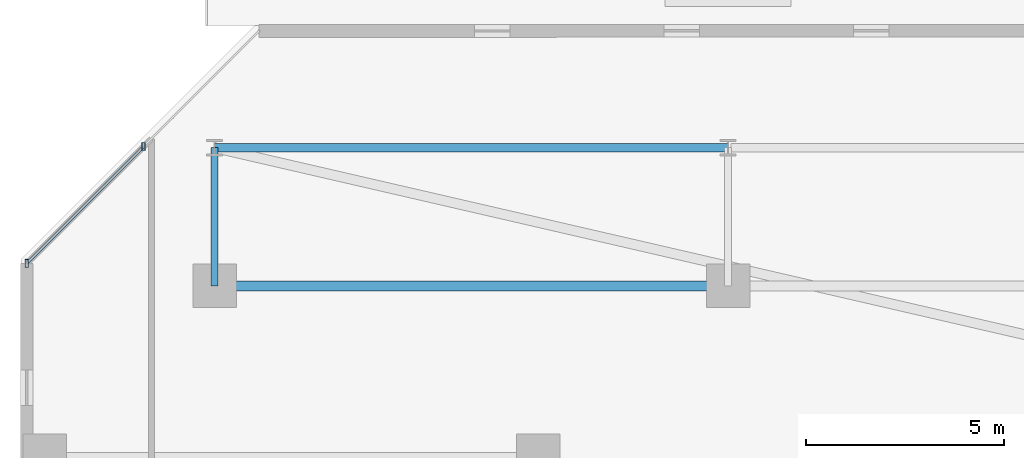
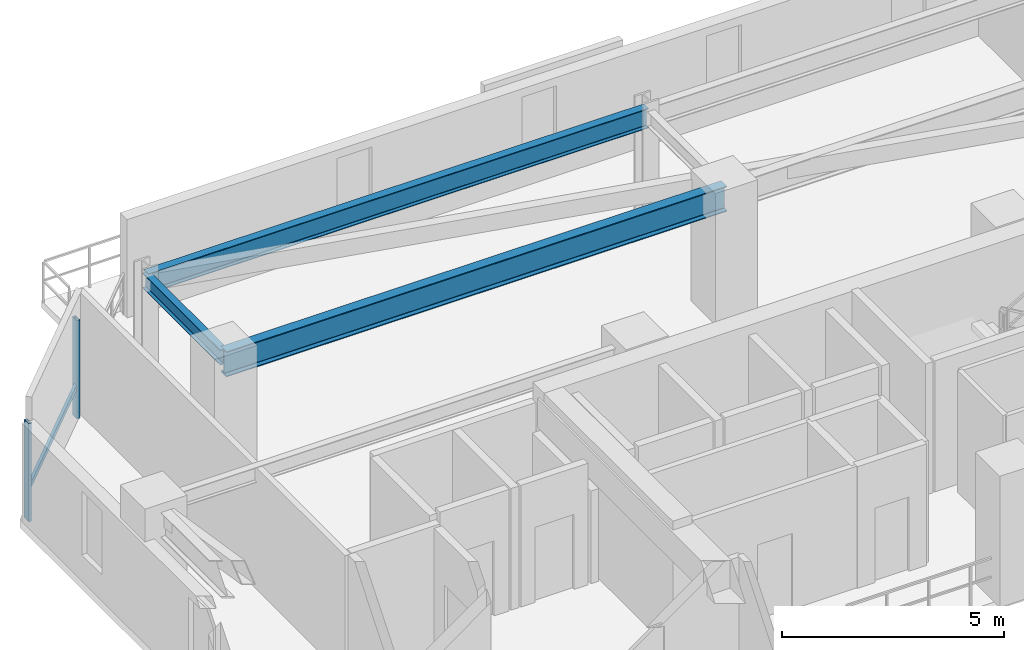
# One storey, part 8 of 32: 3 beams, 3 members, 1 element without a shape of its own.
"""IFC4 building model written with IfcOpenShell, lengths in metres."""

import ifcopenshell
import ifcopenshell.guid

model = None  # the IFC model being written
_history = None  # IfcOwnerHistory: only IFC2X3 demands one
_inside = {}  # id of a spatial element -> (the spatial element, [elements in it])
_under = {}  # id of a project, library or spatial element -> (it, [spatial elements below it])
_declared = {}  # id of a project -> (the project, [libraries it declares])
_typed = {}  # id of a type object -> (the type object, [elements of that type])
_made_of = {}  # id of a material, layer set ... -> (it, [elements and type objects made of it])


def new_model(schema):
    """Start an empty IFC model of exactly this schema.

    Asked for "IFC4X3", IfcOpenShell would pick the latest addendum, in which some entities
    have other attributes; the version numbers below select the first issue.
    IFC2X3 requires an IfcOwnerHistory on every rooted entity: one is made here for all.
    """
    global model, _history
    if schema == "IFC4X3":
        model = ifcopenshell.file(schema_version=(4, 3, 0, 0))
    else:
        model = ifcopenshell.file(schema=schema)
    _inside.clear()
    _under.clear()
    _declared.clear()
    _typed.clear()
    _made_of.clear()
    _history = None
    if model.schema == "IFC2X3":
        org = make("IfcOrganization", Name="unknown")
        user = make(
            "IfcPersonAndOrganization",
            ThePerson=make("IfcPerson", FamilyName="unknown"),
            TheOrganization=org,
        )
        app = make(
            "IfcApplication",
            ApplicationDeveloper=org,
            Version="unknown",
            ApplicationFullName="unknown",
            ApplicationIdentifier="unknown",
        )
        _history = make(
            "IfcOwnerHistory",
            OwningUser=user,
            OwningApplication=app,
            ChangeAction="ADDED",
            CreationDate=0,
        )
    return model


def make(cls, **values):
    """One entity of the class cls with the attributes given. An attribute that is None is left unset."""
    return model.create_entity(
        cls, **{name: value for name, value in values.items() if value is not None}
    )


def rooted(cls, **values):
    """An entity with a GlobalId (a new one), such as an element, a storey or a relation."""
    return make(cls, GlobalId=ifcopenshell.guid.new(), OwnerHistory=_history, **values)


def si_unit(unit_type, name, prefix=None):
    """IfcSIUnit, for example si_unit("LENGTHUNIT", "METRE", prefix="MILLI")."""
    return make("IfcSIUnit", UnitType=unit_type, Prefix=prefix, Name=name)


def assignment(units):
    """IfcUnitAssignment: the units of a project."""
    return None if units is None else make("IfcUnitAssignment", Units=units)


def point(xyz):
    """IfcCartesianPoint."""
    return None if xyz is None else make("IfcCartesianPoint", Coordinates=xyz)


def direction(xyz):
    """IfcDirection."""
    return None if xyz is None else make("IfcDirection", DirectionRatios=xyz)


def frame(location, z_axis=None, x_axis=None):
    """IfcAxis2Placement3D, a coordinate frame: its origin and axes. An axis left out is left unset."""
    return make(
        "IfcAxis2Placement3D",
        Location=point(location),
        Axis=direction(z_axis),
        RefDirection=direction(x_axis),
    )


def frame_2d(location, x_axis=None):
    """IfcAxis2Placement2D, a coordinate frame in the plane: its origin and x axis."""
    return make(
        "IfcAxis2Placement2D", Location=point(location), RefDirection=direction(x_axis)
    )


def origin():
    """The frame at (0, 0, 0) with its axes left unset."""
    return frame((0.0, 0.0, 0.0))


def origin_2d():
    """The frame at (0, 0) in the plane with its x axis left unset."""
    return frame_2d((0.0, 0.0))


def place(relative_to, where):
    """IfcLocalPlacement: puts the frame where relative to a parent placement (None: the world)."""
    return make(
        "IfcLocalPlacement", PlacementRelTo=relative_to, RelativePlacement=where
    )


def context(
    kind, dimensions, precision=None, world=None, true_north=None, identifier=None
):
    """IfcGeometricRepresentationContext, for example the 3D "Model" context."""
    return make(
        "IfcGeometricRepresentationContext",
        ContextIdentifier=identifier,
        ContextType=kind,
        CoordinateSpaceDimension=dimensions,
        Precision=precision,
        WorldCoordinateSystem=world,
        TrueNorth=true_north,
    )


def subcontext(parent, identifier, kind, view, scale=None):
    """IfcGeometricRepresentationSubContext, for example "Body" below "Model"."""
    return make(
        "IfcGeometricRepresentationSubContext",
        ContextIdentifier=identifier,
        ContextType=kind,
        ParentContext=parent,
        TargetScale=scale,
        TargetView=view,
    )


def project(units=None, contexts=None):
    """IfcProject with its units and contexts."""
    return rooted(
        "IfcProject",
        Name="project",
        RepresentationContexts=contexts,
        UnitsInContext=assignment(units),
    )


def spatial(cls, under=None, at=None, **own):
    """A site, building, storey or space (cls), placed at a placement, below another one or the project."""
    s = rooted(cls, ObjectPlacement=at, **own)
    if under is not None:
        _under.setdefault(under.id(), (under, []))[1].append(s)
    return s


def profile(cls, at=None, kind="AREA", **sizes):
    """A parametric profile (cls). Its sizes go by their IFC names, for example OverallWidth=200.0."""
    return make(cls, ProfileType=kind, Position=at, **sizes)


def hollow_rectangle(**sizes):
    """IfcRectangleHollowProfileDef."""
    return profile("IfcRectangleHollowProfileDef", **sizes)


def i_section(**sizes):
    """IfcIShapeProfileDef."""
    return profile("IfcIShapeProfileDef", **sizes)


def extrude(swept, where, along, depth):
    """IfcExtrudedAreaSolid: the profile swept, set in the frame where, extruded along a direction by depth."""
    return make(
        "IfcExtrudedAreaSolid",
        SweptArea=swept,
        Position=where,
        ExtrudedDirection=direction(along),
        Depth=depth,
    )


def shape(context_of_items, identifier, shape_type, items):
    """IfcShapeRepresentation: the items that make up one representation, for example the "Body"."""
    return make(
        "IfcShapeRepresentation",
        ContextOfItems=context_of_items,
        RepresentationIdentifier=identifier,
        RepresentationType=shape_type,
        Items=items,
    )


def material(Name=None, Category=None):
    """IfcMaterial."""
    return make("IfcMaterial", Name=Name, Category=Category)


def material_profile(
    of_material, cross_section, Name=None, Category=None, Priority=None
):
    """IfcMaterialProfile: a cross section and its material."""
    return make(
        "IfcMaterialProfile",
        Name=Name,
        Material=of_material,
        Profile=cross_section,
        Priority=Priority,
        Category=Category,
    )


def profile_set(profiles, Name=None, composite=None):
    """IfcMaterialProfileSet."""
    return make(
        "IfcMaterialProfileSet",
        Name=Name,
        MaterialProfiles=profiles,
        CompositeProfile=composite,
    )


def made_of(thing, what):
    """Note that an element or type object is made of a material, layer set ...; save() writes the relation."""
    if what is not None:
        _made_of.setdefault(what.id(), (what, []))[1].append(thing)
    return thing


def type_object(cls, material=None, **own):
    """A type object (cls), such as IfcWallType, which elements share."""
    return made_of(rooted(cls, **own), material)


def element(
    cls,
    number,
    at=None,
    inside=None,
    cuts=None,
    type_object=None,
    material=None,
    context=None,
    identifier="Body",
    shape_type=None,
    held_by="IfcProductDefinitionShape",
    body=None,
    shapes=None,
    **own,
):
    """One element of the class cls, such as IfcWall. Its Tag is "e" and its number.

    at: its placement. inside: the storey or other place that contains it. cuts: it is an
    opening in that element (IfcRelVoidsElement). A single representation is given by context,
    identifier, shape_type and body (its items); several are given by shapes. held_by: the class
    of the entity that holds the representations. save() writes the other relations.
    """
    e = rooted(cls, Tag="e%d" % number, ObjectPlacement=at, **own)
    if body is not None:
        shapes = [shape(context, identifier, shape_type, body)]
    if shapes is not None:
        e.Representation = make(held_by, Representations=shapes)
    if inside is not None:
        _inside.setdefault(inside.id(), (inside, []))[1].append(e)
    if cuts is not None:
        rooted(
            "IfcRelVoidsElement", RelatingBuildingElement=cuts, RelatedOpeningElement=e
        )
    if type_object is not None:
        _typed.setdefault(type_object.id(), (type_object, []))[1].append(e)
    return made_of(e, material)


def aggregate(whole, parts):
    """IfcRelAggregates: a whole, such as a stair, and the parts it consists of."""
    return rooted("IfcRelAggregates", RelatingObject=whole, RelatedObjects=parts)


def save(model, path):
    """Write the relations noted so far, then the file.

    IfcRelAggregates (storeys below a building ...), IfcRelContainedInSpatialStructure (elements
    in a storey), IfcRelDefinesByType, IfcRelAssociatesMaterial and IfcRelDeclares: one each for
    every whole, place, type object, material and project.
    """
    for whole, parts in _under.values():
        aggregate(whole, parts)
    for where, things in _inside.values():
        rooted(
            "IfcRelContainedInSpatialStructure",
            RelatedElements=things,
            RelatingStructure=where,
        )
    for kind, things in _typed.values():
        rooted("IfcRelDefinesByType", RelatedObjects=things, RelatingType=kind)
    for what, things in _made_of.values():
        rooted("IfcRelAssociatesMaterial", RelatedObjects=things, RelatingMaterial=what)
    for by, libraries in _declared.values():
        rooted("IfcRelDeclares", RelatingContext=by, RelatedDefinitions=libraries)
    model.write(path)


model = new_model("IFC4")

# Units and contexts
model_context = context("Model", 3, precision=1e-05, world=origin(), true_north=direction((0.0, 1.0)))
body_context = subcontext(model_context, "Body", "Model", "MODEL_VIEW")
ifc_project = project(units=[si_unit("LENGTHUNIT", "METRE"), si_unit("AREAUNIT", "SQUARE_METRE"), si_unit("VOLUMEUNIT", "CUBIC_METRE"), si_unit("PLANEANGLEUNIT", "RADIAN"), si_unit("MASSUNIT", "GRAM", prefix="KILO")], contexts=[model_context])

# Site, building, storey
site_placement = place(None, origin())
site = spatial("IfcSite", under=ifc_project, at=site_placement, CompositionType="ELEMENT")
building_placement = place(site_placement, origin())
building = spatial("IfcBuilding", under=site, at=building_placement, Name="Thornwick Lancets Civic Towers", CompositionType="ELEMENT")
storey_placement = place(building_placement, frame((0.0, 0.0, 178.5)))
storey = spatial("IfcBuildingStorey", under=building, at=storey_placement, Name="L47", CompositionType="ELEMENT", Elevation=178.5)

# Beams
ifc_material_1 = material(Name="Steel S355JR", Category="steel")
ifc_material_profile_1 = material_profile(ifc_material_1, i_section(OverallWidth=0.210693359375, OverallDepth=0.53955078125, WebThickness=0.01171875, FlangeThickness=0.018798828125, FilletRadius=0.0126953125, at=origin_2d()), Name="UKB 533x210x109")
ifc_profile_set_1 = profile_set([ifc_material_profile_1], Name="Steel S355JR")
beam_type_1 = type_object("IfcBeamType", Name="BM_EDGE_533_109", PredefinedType="SPANDREL", material=ifc_profile_set_1)
beam_1_placement = place(storey_placement, frame((12.5, 47.800048828125, 3.09033203125), z_axis=(1.0, 0.0, 0.0), x_axis=(0.0, 1.0, 0.0)))
element("IfcBeam", 1, at=beam_1_placement, inside=storey, type_object=beam_type_1, Name="BM-EDGE-L47-A-S2-1", PredefinedType="SPANDREL", context=body_context, shape_type="SweptSolid", body=[
    extrude(i_section(OverallWidth=0.210693359375, OverallDepth=0.53955078125, WebThickness=0.01171875, FlangeThickness=0.018798828125, FilletRadius=0.0126953125, at=origin_2d()), origin(), (0.0, 0.0, 1.0), 13.0),
])
ifc_material_profile_2 = material_profile(ifc_material_1, i_section(OverallWidth=0.255859375, OverallDepth=0.69287109375, WebThickness=0.014404296875, FlangeThickness=0.023681640625, FilletRadius=0.01513671875, at=origin_2d()), Name="UKB 686x254x170")
ifc_profile_set_2 = profile_set([ifc_material_profile_2], Name="Steel S355JR")
beam_type_2 = type_object("IfcBeamType", Name="BM_GIRD_686_170", PredefinedType="BEAM", material=ifc_profile_set_2)
beam_2_placement = place(storey_placement, frame((12.5, 44.300048828125, 3.013671875), z_axis=(1.0, 0.0, 0.0), x_axis=(0.0, 1.0, 0.0)))
element("IfcBeam", 2, at=beam_2_placement, inside=storey, type_object=beam_type_2, Name="BM-SPINE-L47-A-6-7", PredefinedType="BEAM", context=body_context, shape_type="SweptSolid", body=[
    extrude(i_section(OverallWidth=0.255859375, OverallDepth=0.69287109375, WebThickness=0.014404296875, FlangeThickness=0.023681640625, FilletRadius=0.01513671875, at=origin_2d()), origin(), (0.0, 0.0, 1.0), 13.0),
])
ifc_material_profile_3 = material_profile(ifc_material_1, i_section(OverallWidth=0.179443359375, OverallDepth=0.412841796875, WebThickness=0.009521484375, FlangeThickness=0.01611328125, FilletRadius=0.01025390625, at=origin_2d()), Name="UKB 406x178x74")
ifc_profile_set_3 = profile_set([ifc_material_profile_3], Name="Steel S355JR")
beam_type_3 = type_object("IfcBeamType", Name="BM_JOIST_406_74", PredefinedType="JOIST", material=ifc_profile_set_3)
beam_3_placement = place(storey_placement, frame((12.5, 44.300048828125, 3.153564453125), z_axis=(0.0, 1.0, 0.0), x_axis=(-1.0, 0.0, 0.0)))
element("IfcBeam", 3, at=beam_3_placement, inside=storey, type_object=beam_type_3, Name="BM-RAD-L47-A07", PredefinedType="JOIST", context=body_context, shape_type="SweptSolid", body=[
    extrude(i_section(OverallWidth=0.179443359375, OverallDepth=0.412841796875, WebThickness=0.009521484375, FlangeThickness=0.01611328125, FilletRadius=0.01025390625, at=origin_2d()), origin(), (0.0, 0.0, 1.0), 3.5),
])

# Curtain wall, members
ifc_material_2 = material(Name="Mid-zone chamfered-corner unitised glass curtain wall", Category="glass")
curtain_wall_type = type_object("IfcCurtainWallType", Name="CW_SYS_04", PredefinedType="NOTDEFINED", material=ifc_material_2)
curtain_wall_placement = place(storey_placement, origin())
curtain_wall = element("IfcCurtainWall", 4, at=curtain_wall_placement, inside=storey, type_object=curtain_wall_type, Name="L47 Curtain Wall CW-L47-A-E5", PredefinedType="NOTDEFINED")
ifc_material_3 = material(Name="Thermally broken bronze aluminium S355", Category="steel")
ifc_material_profile_4 = material_profile(ifc_material_3, hollow_rectangle(XDim=0.080078125, YDim=0.199951171875, WallThickness=0.006103515625, at=origin_2d()), Name="RHS 200x80x6")
ifc_profile_set_4 = profile_set([ifc_material_profile_4], Name="Thermally broken bronze aluminium S355")
member_type_1 = type_object("IfcMemberType", Name="CW_MUL_200", PredefinedType="MULLION", material=ifc_profile_set_4)
member_1_placement = place(storey_placement, frame((10.703125, 47.8291015625, 0.0), z_axis=(0.0, 0.0, 1.0), x_axis=(1.0, 0.0, 0.0)))
member_1 = element("IfcMember", 5, at=member_1_placement, type_object=member_type_1, Name="CW-L47-A-E5 Mullion 0", PredefinedType="MULLION", context=body_context, shape_type="SweptSolid", body=[
    extrude(hollow_rectangle(XDim=0.080078125, YDim=0.199951171875, WallThickness=0.006103515625, at=origin_2d()), origin(), (0.0, 0.0, 1.0), 2.699951171875),
])
member_2_placement = place(storey_placement, frame((7.746337890625, 44.872314453125, 0.0), z_axis=(0.0, 0.0, 1.0), x_axis=(1.0, 0.0, 0.0)))
member_2 = element("IfcMember", 6, at=member_2_placement, type_object=member_type_1, Name="CW-L47-A-E5 Mullion 1", PredefinedType="MULLION", context=body_context, shape_type="SweptSolid", body=[
    extrude(hollow_rectangle(XDim=0.080078125, YDim=0.199951171875, WallThickness=0.006103515625, at=origin_2d()), origin(), (0.0, 0.0, 1.0), 2.699951171875),
])
ifc_material_profile_5 = material_profile(ifc_material_3, hollow_rectangle(XDim=0.074951171875, YDim=0.14990234375, WallThickness=0.0048828125, at=origin_2d()), Name="RHS 150x75x5")
ifc_profile_set_5 = profile_set([ifc_material_profile_5], Name="Thermally broken bronze aluminium S355")
member_type_2 = type_object("IfcMemberType", Name="CW_TRN_150", PredefinedType="USERDEFINED", material=ifc_profile_set_5)
member_3_placement = place(storey_placement, frame((10.68896484375, 47.81494140625, 0.85009765625), z_axis=(-0.707077306737, -0.707136254407, 0.0), x_axis=(0.707136254407, -0.707077306737, 0.0)))
member_3 = element("IfcMember", 7, at=member_3_placement, type_object=member_type_2, Name="CW-L47-A-E5 Transom 0", ObjectType="TRANSOM", PredefinedType="USERDEFINED", context=body_context, shape_type="SweptSolid", body=[
    extrude(hollow_rectangle(XDim=0.074951171875, YDim=0.14990234375, WallThickness=0.0048828125, at=origin_2d()), origin(), (0.0, 0.0, 1.0), 4.1416015625),
])
aggregate(curtain_wall, [member_1, member_2, member_3])

save(model, "model.ifc")
